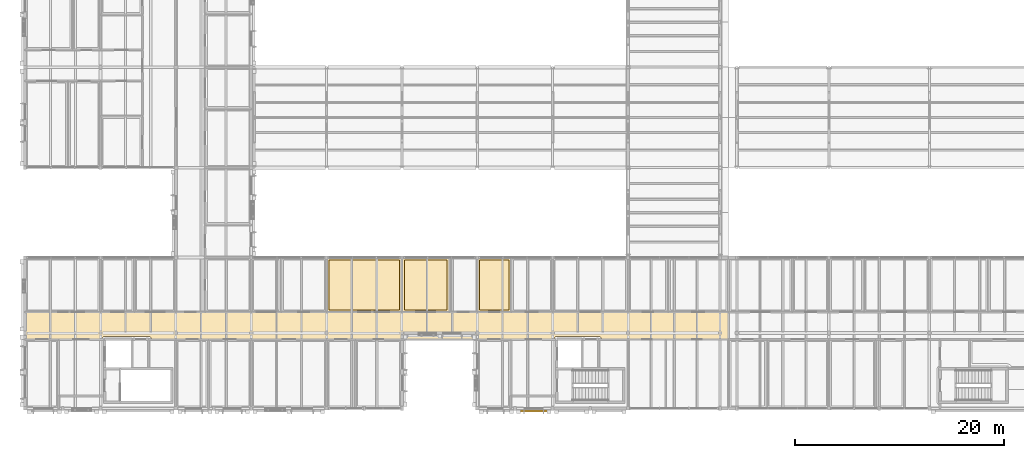
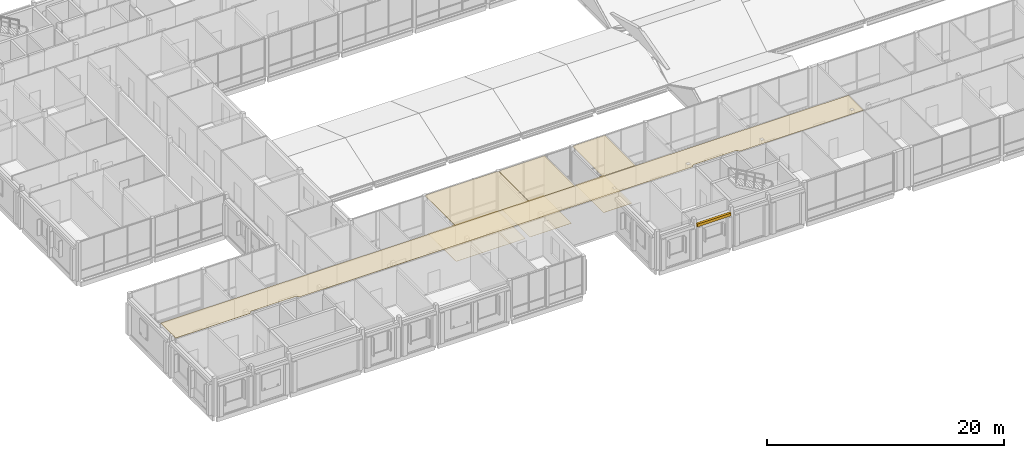
# One storey, part 105 of 115: 8 coverings.
"""IFC4 building model written with IfcOpenShell, lengths in metres."""

from ifc_helpers import new_model, si_unit, direction, frame, origin, origin_2d, place, context, subcontext, project, spatial, polyline, rectangle, outline, extrude, material, layer, layer_set, type_object, element, save


model = new_model("IFC4")

# Units and contexts
model_context = context("Model", 3, precision=1e-05, world=origin(), true_north=direction((0.0, 1.0)))
body_context = subcontext(model_context, "Body", "Model", "MODEL_VIEW")
ifc_project = project(units=[si_unit("LENGTHUNIT", "METRE"), si_unit("AREAUNIT", "SQUARE_METRE"), si_unit("VOLUMEUNIT", "CUBIC_METRE"), si_unit("PLANEANGLEUNIT", "RADIAN"), si_unit("MASSUNIT", "GRAM", prefix="KILO")], contexts=[model_context])

# Site, building, storey
site_placement = place(None, origin())
site = spatial("IfcSite", under=ifc_project, at=site_placement, CompositionType="ELEMENT")
building_placement = place(site_placement, origin())
building = spatial("IfcBuilding", under=site, at=building_placement, Name="Hawrajan Terrace Health Centre", CompositionType="ELEMENT")
storey_placement = place(building_placement, frame((0.0, 0.0, 9.0)))
storey = spatial("IfcBuildingStorey", under=building, at=storey_placement, Name="L02", CompositionType="ELEMENT", Elevation=9.0)

# Coverings
ifc_material_1 = material(Name="Precast concrete C40/50", Category="concrete")
ifc_layer_1 = layer(ifc_material_1, 0.219970703125)
ifc_layer_set_1 = layer_set([ifc_layer_1], Name="Precast concrete C40/50")
covering_type_1 = type_object("IfcCoveringType", Name="ArtDecoCorniceBand", PredefinedType="CLADDING", material=ifc_layer_set_1)
covering_1_placement = place(storey_placement, frame((53.18994140625, 3.955078125, 3.22021484375), z_axis=(0.0, 0.0, 1.0), x_axis=(1.0, 0.0, 0.0)))
element("IfcCovering", 1, at=covering_1_placement, inside=storey, type_object=covering_type_1, Name="Art Deco limestone cornice band CRN-L02-0130", PredefinedType="CLADDING", context=body_context, shape_type="SweptSolid", body=[
    extrude(rectangle(XDim=3.300048828125, YDim=0.219970703125, at=origin_2d()), origin(), (0.0, 0.0, 1.0), 0.300048828125),
])
ifc_material_2 = material(Name="Hygienic mineral-fibre acoustic tile ceiling")
ifc_layer_2 = layer(ifc_material_2, 0.02490234375)
ifc_layer_set_2 = layer_set([ifc_layer_2], Name="Hygienic mineral-fibre acoustic tile ceiling")
covering_type_2 = type_object("IfcCoveringType", Name="ClinicalAcousticCeiling_25", PredefinedType="CEILING", material=ifc_layer_set_2)
covering_2_placement = place(storey_placement, frame((0.0, 0.0, 3.93505859375)))
element("IfcCovering", 2, at=covering_2_placement, inside=storey, type_object=covering_type_2, Name="Suspended ceiling L02-027", PredefinedType="CEILING", context=body_context, shape_type="SweptSolid", body=[
    extrude(outline(polyline([(4.6201171875, 10.820068359375), (4.6201171875, 13.3798828125), (71.77490234375, 13.3798828125), (71.77490234375, 10.820068359375), (59.6689453125, 10.820068359375), (59.668701171875, 10.825439453125), (59.668701171875, 10.827392578125), (59.6650390625, 10.851806640625), (59.66455078125, 10.853515625), (59.65869140625, 10.87744140625), (59.658203125, 10.87939453125), (59.64990234375, 10.90234375), (59.64892578125, 10.904296875), (59.638671875, 10.926513671875), (59.6376953125, 10.927978515625), (59.625, 10.94921875), (59.623779296875, 10.95068359375), (59.609375, 10.970458984375), (59.608154296875, 10.971923828125), (59.591552734375, 10.990234375), (59.590087890625, 10.99169921875), (59.572021484375, 11.008056640625), (59.570556640625, 11.00927734375), (59.55078125, 11.02392578125), (59.54931640625, 11.02490234375), (59.528076171875, 11.03759765625), (59.5263671875, 11.03857421875), (59.504150390625, 11.049072265625), (59.50244140625, 11.0498046875), (59.479248046875, 11.05810546875), (59.477294921875, 11.05859375), (59.45361328125, 11.064697265625), (59.45166015625, 11.06494140625), (59.427490234375, 11.068603515625), (59.425537109375, 11.06884765625), (59.40087890625, 11.070068359375), (59.39990234375, 11.070068359375), (55.39990234375, 11.070068359375), (55.39892578125, 11.070068359375), (55.37451171875, 11.06884765625), (55.37255859375, 11.068603515625), (55.348388671875, 11.06494140625), (55.346435546875, 11.064697265625), (55.322509765625, 11.05859375), (55.32080078125, 11.05810546875), (55.297607421875, 11.0498046875), (55.2958984375, 11.049072265625), (55.273681640625, 11.03857421875), (55.27197265625, 11.03759765625), (55.250732421875, 11.02490234375), (55.249267578125, 11.02392578125), (55.2294921875, 11.00927734375), (55.22802734375, 11.008056640625), (55.209716796875, 10.99169921875), (55.20849609375, 10.990234375), (55.19189453125, 10.971923828125), (55.190673828125, 10.970458984375), (55.176025390625, 10.95068359375), (55.175048828125, 10.94921875), (55.162353515625, 10.927978515625), (55.161376953125, 10.926513671875), (55.15087890625, 10.904296875), (55.150146484375, 10.90234375), (55.141845703125, 10.87939453125), (55.141357421875, 10.87744140625), (55.135498046875, 10.853515625), (55.135009765625, 10.851806640625), (55.13134765625, 10.827392578125), (55.131103515625, 10.825439453125), (55.131103515625, 10.820068359375), (16.6689453125, 10.820068359375), (16.668701171875, 10.825439453125), (16.668701171875, 10.827392578125), (16.6650390625, 10.851806640625), (16.66455078125, 10.853515625), (16.65869140625, 10.87744140625), (16.658203125, 10.87939453125), (16.64990234375, 10.90234375), (16.64892578125, 10.904296875), (16.638671875, 10.926513671875), (16.6376953125, 10.927978515625), (16.625, 10.94921875), (16.623779296875, 10.95068359375), (16.609375, 10.970458984375), (16.608154296875, 10.971923828125), (16.591552734375, 10.990234375), (16.590087890625, 10.99169921875), (16.572021484375, 11.008056640625), (16.570556640625, 11.00927734375), (16.55078125, 11.02392578125), (16.54931640625, 11.02490234375), (16.528076171875, 11.03759765625), (16.5263671875, 11.03857421875), (16.504150390625, 11.049072265625), (16.50244140625, 11.0498046875), (16.479248046875, 11.05810546875), (16.477294921875, 11.05859375), (16.45361328125, 11.064697265625), (16.45166015625, 11.06494140625), (16.427490234375, 11.068603515625), (16.425537109375, 11.06884765625), (16.40087890625, 11.070068359375), (16.39990234375, 11.070068359375), (12.199951171875, 11.070068359375), (12.198974609375, 11.070068359375), (12.174560546875, 11.06884765625), (12.172607421875, 11.068603515625), (12.148193359375, 11.06494140625), (12.146484375, 11.064697265625), (12.12255859375, 11.05859375), (12.12060546875, 11.05810546875), (12.09765625, 11.0498046875), (12.095703125, 11.049072265625), (12.073486328125, 11.03857421875), (12.072021484375, 11.03759765625), (12.05078125, 11.02490234375), (12.04931640625, 11.02392578125), (12.029541015625, 11.00927734375), (12.028076171875, 11.008056640625), (12.009765625, 10.99169921875), (12.00830078125, 10.990234375), (11.991943359375, 10.971923828125), (11.99072265625, 10.970458984375), (11.97607421875, 10.95068359375), (11.97509765625, 10.94921875), (11.96240234375, 10.927978515625), (11.96142578125, 10.926513671875), (11.950927734375, 10.904296875), (11.9501953125, 10.90234375), (11.94189453125, 10.87939453125), (11.94140625, 10.87744140625), (11.935302734375, 10.853515625), (11.93505859375, 10.851806640625), (11.931396484375, 10.827392578125), (11.93115234375, 10.825439453125), (11.930908203125, 10.820068359375), (4.6201171875, 10.820068359375)])), origin(), (0.0, 0.0, 1.0), 0.02490234375),
])
covering_3_placement = place(storey_placement, frame((0.0, 0.0, 3.93505859375)))
element("IfcCovering", 3, at=covering_3_placement, inside=storey, type_object=covering_type_2, Name="Suspended ceiling L02-083", PredefinedType="CEILING", context=body_context, shape_type="SweptSolid", body=[
    extrude(outline(polyline([(47.820068359375, 18.580078125), (51.0126953125, 18.580078125), (51.0126953125, 13.419921875), (47.820068359375, 13.419921875), (47.820068359375, 18.580078125)])), origin(), (0.0, 0.0, 1.0), 0.02490234375),
])
covering_4_placement = place(storey_placement, frame((0.0, 0.0, 3.885009765625)))
element("IfcCovering", 4, at=covering_4_placement, inside=storey, type_object=covering_type_2, Name="Suspended ceiling L02-119", PredefinedType="CEILING", context=body_context, shape_type="SweptSolid", body=[
    extrude(outline(polyline([(33.419921875, 18.580078125), (40.580078125, 18.580078125), (40.580078125, 13.419921875), (33.419921875, 13.419921875), (33.419921875, 18.580078125)])), origin(), (0.0, 0.0, 1.0), 0.02490234375),
])
covering_5_placement = place(storey_placement, frame((0.0, 0.0, 3.885009765625)))
element("IfcCovering", 5, at=covering_5_placement, inside=storey, type_object=covering_type_2, Name="Suspended ceiling L02-120", PredefinedType="CEILING", context=body_context, shape_type="SweptSolid", body=[
    extrude(outline(polyline([(40.6201171875, 18.580078125), (45.1015625, 18.580078125), (45.1015625, 13.419921875), (40.6201171875, 13.419921875), (40.6201171875, 18.580078125)])), origin(), (0.0, 0.0, 1.0), 0.02490234375),
])
ifc_material_3 = material(Name="Seamless medical-grade cushioned vinyl flooring")
ifc_layer_3 = layer(ifc_material_3, 0.011962890625)
ifc_layer_set_3 = layer_set([ifc_layer_3], Name="Seamless medical-grade cushioned vinyl flooring")
covering_type_3 = type_object("IfcCoveringType", Name="ClinicalVinylFlooring_12", PredefinedType="FLOORING", material=ifc_layer_set_3)
covering_6_placement = place(storey_placement, origin())
element("IfcCovering", 6, at=covering_6_placement, inside=storey, type_object=covering_type_3, Name="Floor finish L02-083", PredefinedType="FLOORING", context=body_context, shape_type="SweptSolid", body=[
    extrude(outline(polyline([(48.02001953125, 18.3798828125), (50.812744140625, 18.3798828125), (50.812744140625, 13.6201171875), (48.02001953125, 13.6201171875), (48.02001953125, 18.3798828125)])), origin(), (0.0, 0.0, 1.0), 0.011962890625),
])
covering_7_placement = place(storey_placement, origin())
element("IfcCovering", 7, at=covering_7_placement, inside=storey, type_object=covering_type_3, Name="Floor finish L02-119", PredefinedType="FLOORING", context=body_context, shape_type="SweptSolid", body=[
    extrude(outline(polyline([(33.6201171875, 18.3798828125), (40.3798828125, 18.3798828125), (40.3798828125, 13.6201171875), (33.6201171875, 13.6201171875), (33.6201171875, 18.3798828125)])), origin(), (0.0, 0.0, 1.0), 0.011962890625),
])
covering_8_placement = place(storey_placement, origin())
element("IfcCovering", 8, at=covering_8_placement, inside=storey, type_object=covering_type_3, Name="Floor finish L02-120", PredefinedType="FLOORING", context=body_context, shape_type="SweptSolid", body=[
    extrude(outline(polyline([(40.820068359375, 18.3798828125), (44.901611328125, 18.3798828125), (44.901611328125, 13.6201171875), (40.820068359375, 13.6201171875), (40.820068359375, 18.3798828125)])), origin(), (0.0, 0.0, 1.0), 0.011962890625),
])

save(model, "model.ifc")
